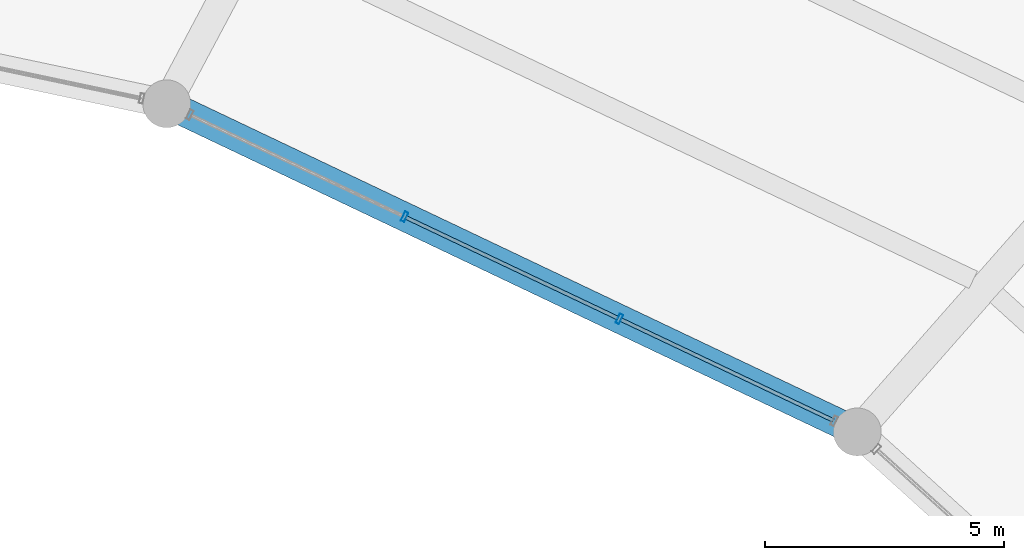
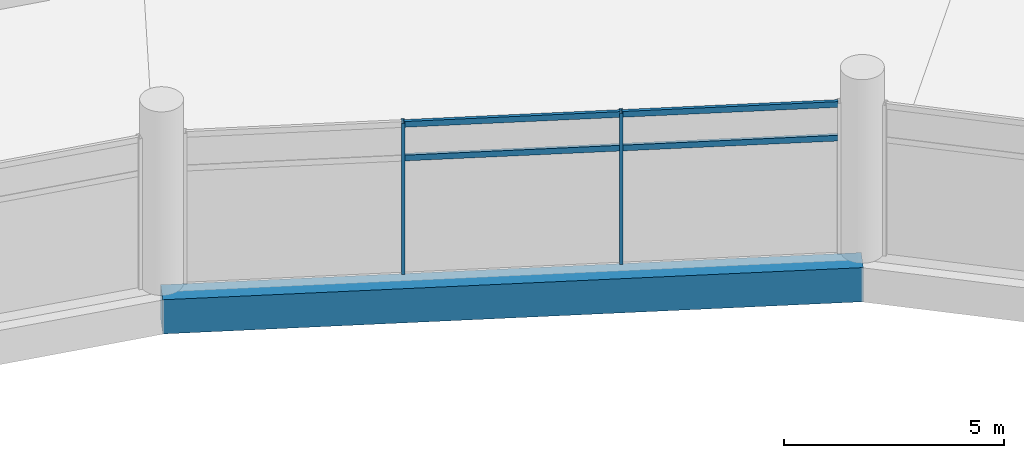
# One storey, part 125 of 184: 6 members, 1 beam, 1 element without a shape of its own.
"""IFC4 building model written with IfcOpenShell, lengths in metres."""

from ifc_helpers import new_model, si_unit, direction, frame, origin, origin_2d, place, context, subcontext, project, spatial, rectangle, hollow_rectangle, extrude, material, layer, layer_set, material_profile, profile_set, type_object, element, aggregate, save


model = new_model("IFC4")

# Units and contexts
model_context = context("Model", 3, precision=1e-05, world=origin(), true_north=direction((0.0, 1.0)))
body_context = subcontext(model_context, "Body", "Model", "MODEL_VIEW")
ifc_project = project(units=[si_unit("LENGTHUNIT", "METRE"), si_unit("AREAUNIT", "SQUARE_METRE"), si_unit("VOLUMEUNIT", "CUBIC_METRE"), si_unit("PLANEANGLEUNIT", "RADIAN"), si_unit("MASSUNIT", "GRAM", prefix="KILO")], contexts=[model_context])

# Site, building, storey
site_placement = place(None, origin())
site = spatial("IfcSite", under=ifc_project, at=site_placement, CompositionType="ELEMENT")
building_placement = place(site_placement, origin())
building = spatial("IfcBuilding", under=site, at=building_placement, Name="Kazemori Nagisa Stadium", CompositionType="ELEMENT")
storey_placement = place(building_placement, frame((0.0, 0.0, 10.5400390625)))
storey = spatial("IfcBuildingStorey", under=building, at=storey_placement, Name="L02", CompositionType="ELEMENT", Elevation=10.5400390625)

# Beam
ifc_material_1 = material(Name="Concrete C40/50 (Fc42)", Category="concrete")
ifc_material_profile_1 = material_profile(ifc_material_1, rectangle(XDim=0.60009765625, YDim=0.949951171875, at=origin_2d()), Name="RC-BM-600x950")
ifc_profile_set_1 = profile_set([ifc_material_profile_1], Name="Concrete C40/50 (Fc42)")
beam_type = type_object("IfcBeamType", Name="Beam_BG-RC600X950", PredefinedType="BEAM", material=ifc_profile_set_1)
beam_placement = place(storey_placement, frame((168.696533203125, 153.873046875, -0.735107421875), z_axis=(-0.903211989129, 0.429194714196, 0.0), x_axis=(-0.429194714196, -0.903211989129, 0.0)))
element("IfcBeam", 1, at=beam_placement, inside=storey, type_object=beam_type, Name="Ring girder BG-RC600X950 L02 R1-05", PredefinedType="BEAM", context=body_context, shape_type="SweptSolid", body=[
    extrude(rectangle(XDim=0.60009765625, YDim=0.949951171875, at=origin_2d()), origin(), (0.0, 0.0, 1.0), 15.997314453125),
])

# Curtain wall, members
ifc_material_2 = material(Name="Anodised aluminium 6063-T5", Category="aluminium")
ifc_layer = layer(ifc_material_2, 0.2099609375, Name="Anodised aluminium 6063-T5", Category="aluminium")
ifc_layer_set = layer_set([ifc_layer], Name="Anodised aluminium 6063-T5")
curtain_wall_type = type_object("IfcCurtainWallType", Name="CW_L02B_75", PredefinedType="USERDEFINED", material=ifc_layer_set)
curtain_wall_placement = place(storey_placement, origin())
curtain_wall = element("IfcCurtainWall", 2, at=curtain_wall_placement, inside=storey, type_object=curtain_wall_type, Name="Unitised curtain wall CW-L02B-75 L02", ObjectType="UNITISED CURTAIN WALL", PredefinedType="USERDEFINED")
ifc_material_3 = material(Name="Aluminium 6063-T5 anodised", Category="aluminium")
ifc_material_profile_2 = material_profile(ifc_material_3, hollow_rectangle(XDim=0.080078125, YDim=0.2099609375, WallThickness=0.0048828125, at=origin_2d()), Name="ALU-MULL-80x210x5")
ifc_profile_set_2 = profile_set([ifc_material_profile_2], Name="Aluminium 6063-T5 anodised")
member_type_1 = type_object("IfcMemberType", Name="Mullion_M02", PredefinedType="MULLION", material=ifc_profile_set_2)
member_1_placement = place(storey_placement, frame((163.718994140625, 156.23828125, 0.0), z_axis=(0.0, 0.0, 1.0), x_axis=(-0.903215892654, 0.429186499388, 0.0)))
member_1 = element("IfcMember", 3, at=member_1_placement, type_object=member_type_1, Name="Curtain wall mullion CW-L02B-75-M2", PredefinedType="MULLION", context=body_context, shape_type="SweptSolid", body=[
    extrude(hollow_rectangle(XDim=0.080078125, YDim=0.2099609375, WallThickness=0.0048828125, at=origin_2d()), origin(), (0.0, 0.0, 1.0), 4.18994140625),
])
member_2_placement = place(storey_placement, frame((159.224853515625, 158.373779296875, 0.0), z_axis=(0.0, 0.0, 1.0), x_axis=(-0.903215892654, 0.429186499388, 0.0)))
member_2 = element("IfcMember", 4, at=member_2_placement, type_object=member_type_1, Name="Curtain wall mullion CW-L02B-75-M3", PredefinedType="MULLION", context=body_context, shape_type="SweptSolid", body=[
    extrude(hollow_rectangle(XDim=0.080078125, YDim=0.2099609375, WallThickness=0.0048828125, at=origin_2d()), origin(), (0.0, 0.0, 1.0), 4.18994140625),
])
ifc_material_profile_3 = material_profile(ifc_material_3, hollow_rectangle(XDim=0.080078125, YDim=0.159912109375, WallThickness=0.00390625, at=origin_2d()), Name="ALU-TRAN-80x160x4")
ifc_profile_set_3 = profile_set([ifc_material_profile_3], Name="Aluminium 6063-T5 anodised")
member_type_2 = type_object("IfcMemberType", Name="Transom_T02", PredefinedType="USERDEFINED", material=ifc_profile_set_3)
member_3_placement = place(storey_placement, frame((168.1953125, 154.111328125, 3.184326171875), z_axis=(-0.903219509173, 0.429178888401, 0.0), x_axis=(-0.429178888401, -0.903219509173, 0.0)))
member_3 = element("IfcMember", 5, at=member_3_placement, type_object=member_type_2, Name="Curtain wall transom CW-L02B-75-T1-mid", ObjectType="TRANSOM", PredefinedType="USERDEFINED", context=body_context, shape_type="SweptSolid", body=[
    extrude(hollow_rectangle(XDim=0.080078125, YDim=0.159912109375, WallThickness=0.00390625, at=origin_2d()), origin(), (0.0, 0.0, 1.0), 4.93603515625),
])
member_4_placement = place(storey_placement, frame((168.1953125, 154.111328125, 4.119873046875), z_axis=(-0.903219509173, 0.429178888401, 0.0), x_axis=(-0.429178888401, -0.903219509173, 0.0)))
member_4 = element("IfcMember", 6, at=member_4_placement, type_object=member_type_2, Name="Curtain wall transom CW-L02B-75-T1-head", ObjectType="TRANSOM", PredefinedType="USERDEFINED", context=body_context, shape_type="SweptSolid", body=[
    extrude(hollow_rectangle(XDim=0.080078125, YDim=0.159912109375, WallThickness=0.00390625, at=origin_2d()), origin(), (0.0, 0.0, 1.0), 4.93603515625),
])
member_5_placement = place(storey_placement, frame((163.700927734375, 156.246826171875, 3.184326171875), z_axis=(-0.903210397994, 0.429198062618, 0.0), x_axis=(-0.429198062618, -0.903210397994, 0.0)))
member_5 = element("IfcMember", 7, at=member_5_placement, type_object=member_type_2, Name="Curtain wall transom CW-L02B-75-T2-mid", ObjectType="TRANSOM", PredefinedType="USERDEFINED", context=body_context, shape_type="SweptSolid", body=[
    extrude(hollow_rectangle(XDim=0.080078125, YDim=0.159912109375, WallThickness=0.00390625, at=origin_2d()), origin(), (0.0, 0.0, 1.0), 4.935791015625),
])
member_6_placement = place(storey_placement, frame((163.700927734375, 156.246826171875, 4.119873046875), z_axis=(-0.903210397994, 0.429198062618, 0.0), x_axis=(-0.429198062618, -0.903210397994, 0.0)))
member_6 = element("IfcMember", 8, at=member_6_placement, type_object=member_type_2, Name="Curtain wall transom CW-L02B-75-T2-head", ObjectType="TRANSOM", PredefinedType="USERDEFINED", context=body_context, shape_type="SweptSolid", body=[
    extrude(hollow_rectangle(XDim=0.080078125, YDim=0.159912109375, WallThickness=0.00390625, at=origin_2d()), origin(), (0.0, 0.0, 1.0), 4.935791015625),
])
aggregate(curtain_wall, [member_1, member_2, member_3, member_4, member_5, member_6])

save(model, "model.ifc")
